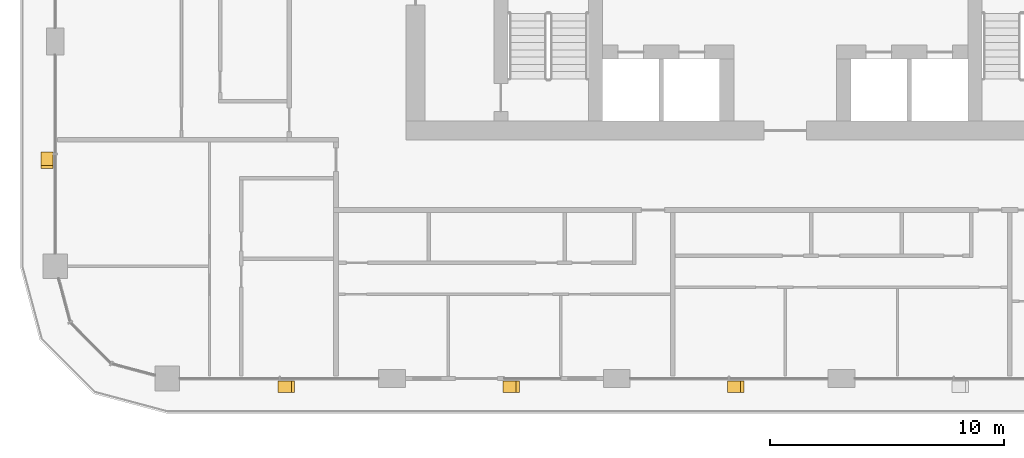
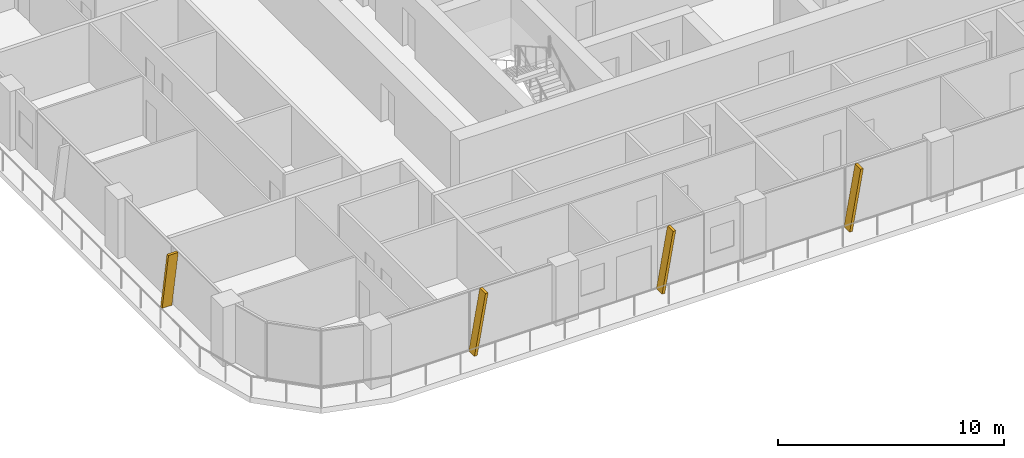
# One storey, part 16 of 22: 4 shading devices.
"""IFC4 building model written with IfcOpenShell, lengths in metres."""

from ifc_helpers import new_model, si_unit, direction, frame, origin, place, context, subcontext, project, spatial, polyline, outline, extrude, material, type_object, element, save


model = new_model("IFC4")

# Units and contexts
model_context = context("Model", 3, precision=1e-05, world=origin(), true_north=direction((0.0, 1.0)))
body_context = subcontext(model_context, "Body", "Model", "MODEL_VIEW")
ifc_project = project(units=[si_unit("LENGTHUNIT", "METRE"), si_unit("AREAUNIT", "SQUARE_METRE"), si_unit("VOLUMEUNIT", "CUBIC_METRE"), si_unit("PLANEANGLEUNIT", "RADIAN"), si_unit("MASSUNIT", "GRAM", prefix="KILO")], contexts=[model_context])

# Site, building, storey
site_placement = place(None, origin())
site = spatial("IfcSite", under=ifc_project, at=site_placement, CompositionType="ELEMENT")
building_placement = place(site_placement, origin())
building = spatial("IfcBuilding", under=site, at=building_placement, Name="Madar Terraces", CompositionType="ELEMENT")
storey_placement = place(building_placement, frame((0.0, 0.0, 129.60009765625)))
storey = spatial("IfcBuildingStorey", under=building, at=storey_placement, Name="L33", CompositionType="ELEMENT", Elevation=129.60009765625)

# Shading devices
ifc_material = material(Name="Aluminium, black anodised", Category="aluminium")
shading_device_type = type_object("IfcShadingDeviceType", Name="Facade fin blade 140 x 500", PredefinedType="USERDEFINED", material=ifc_material)
shading_device_1_placement = place(storey_placement, frame((9.530029296875, 4.449951171875, 0.0), z_axis=(0.0, 0.0, 1.0), x_axis=(1.0, 0.0, 0.0)))
element("IfcShadingDevice", 1, at=shading_device_1_placement, inside=storey, type_object=shading_device_type, Name="FIN L33 S1", ObjectType="FIN", PredefinedType="USERDEFINED", context=body_context, shape_type="SweptSolid", body=[
    extrude(outline(polyline([(0.0, 0.0), (0.139892578125, 0.0), (0.704345703125, 3.199951171875), (0.564208984375, 3.199951171875), (0.0, 0.0)])), frame((0.0, 0.25, 0.0), z_axis=(0.0, -1.0, 0.0), x_axis=(1.0, 0.0, 0.0)), (0.0, 0.0, 1.0), 0.5),
])
for number, where, z_axis, x_axis, name in (
    (2, (19.1298828125, 4.449951171875, 0.0), (0.0, 0.0, 1.0), (1.0, 0.0, 0.0), "FIN L33 S2"),
    (3, (28.72998046875, 4.449951171875, 0.0), (0.0, 0.0, 1.0), (1.0, 0.0, 0.0), "FIN L33 S3"),
):
    element("IfcShadingDevice", number, at=place(storey_placement, frame(where, z_axis=z_axis, x_axis=x_axis)), inside=storey, type_object=shading_device_type, Name=name, ObjectType="FIN", PredefinedType="USERDEFINED", context=body_context, shape_type="SweptSolid", body=[
        extrude(outline(polyline([(0.0, 0.0), (0.14013671875, 0.0), (0.704345703125, 3.199951171875), (0.564208984375, 3.199951171875), (0.0, 0.0)])), frame((0.0, 0.25, 0.0), z_axis=(0.0, -1.0, 0.0), x_axis=(1.0, 0.0, 0.0)), (0.0, 0.0, 1.0), 0.5),
    ])
shading_device_2_placement = place(storey_placement, frame((-0.35009765625, 14.469970703125, 0.0), z_axis=(0.0, 0.0, 1.0), x_axis=(0.0, -1.0, 0.0)))
element("IfcShadingDevice", 4, at=shading_device_2_placement, inside=storey, type_object=shading_device_type, Name="FIN L33 W4", ObjectType="FIN", PredefinedType="USERDEFINED", context=body_context, shape_type="SweptSolid", body=[
    extrude(outline(polyline([(0.0, 0.0), (0.139892578125, 0.0), (0.704345703125, 3.199951171875), (0.564208984375, 3.199951171875), (0.0, 0.0)])), frame((0.0, 0.25, 0.0), z_axis=(0.0, -1.0, 0.0), x_axis=(1.0, 0.0, 0.0)), (0.0, 0.0, 1.0), 0.5),
])

save(model, "model.ifc")
